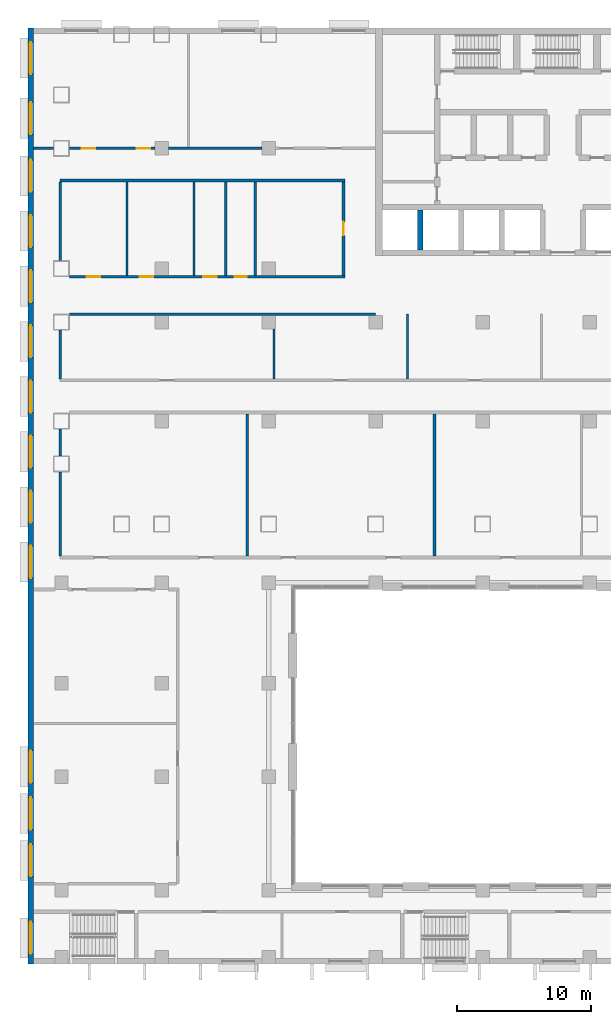
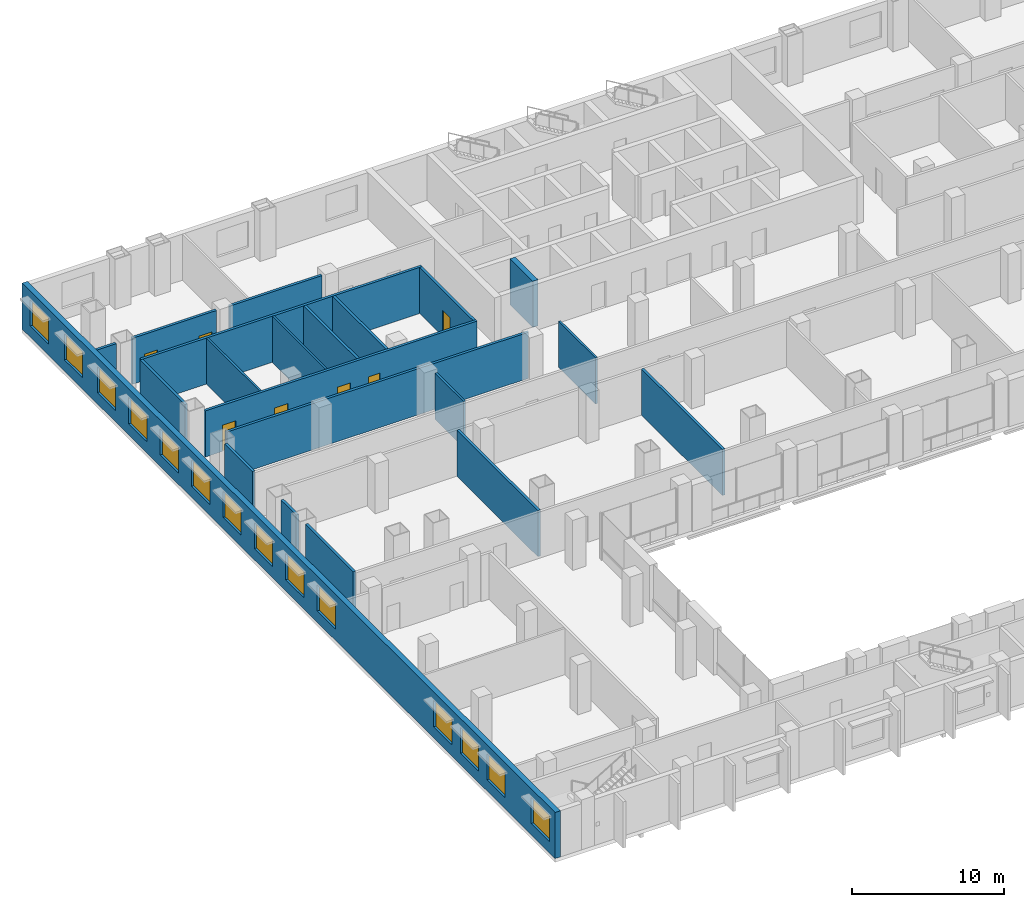
# One storey, part 10 of 25: 21 walls, 14 windows, 7 doors, 21 openings.
"""IFC4 building model written with IfcOpenShell, lengths in metres."""

from ifc_helpers import new_model, si_unit, direction, frame, frame_2d, origin, place, context, subcontext, project, spatial, rectangle, extrude, material, layer, layer_set, type_object, element, fill, save


model = new_model("IFC4")

# Units and contexts
model_context = context("Model", 3, precision=1e-05, world=origin(), true_north=direction((0.0, 1.0)))
body_context = subcontext(model_context, "Body", "Model", "MODEL_VIEW")
ifc_project = project(units=[si_unit("LENGTHUNIT", "METRE"), si_unit("AREAUNIT", "SQUARE_METRE"), si_unit("VOLUMEUNIT", "CUBIC_METRE"), si_unit("PLANEANGLEUNIT", "RADIAN"), si_unit("MASSUNIT", "GRAM", prefix="KILO")], contexts=[model_context])

# Site, building, storey
site_placement = place(None, origin())
site = spatial("IfcSite", under=ifc_project, at=site_placement, CompositionType="ELEMENT")
building_placement = place(site_placement, origin())
building = spatial("IfcBuilding", under=site, at=building_placement, Name="Vidyagriha Tower", CompositionType="ELEMENT")
storey_placement = place(building_placement, frame((0.0, 0.0, 18.0)))
storey = spatial("IfcBuildingStorey", under=building, at=storey_placement, Name="L04", CompositionType="ELEMENT", Elevation=18.0)

# Wall, openings, windows
ifc_material_1 = material(Name="Concrete C40/50 board-marked with brick facing", Category="concrete")
ifc_layer_1 = layer(ifc_material_1, 0.39990234375)
ifc_layer_set_1 = layer_set([ifc_layer_1], Name="Concrete C40/50 board-marked with brick facing")
wall_type_1 = type_object("IfcWallType", Name="Brick-faced board-marked concrete podium wall 400", PredefinedType="STANDARD", material=ifc_layer_set_1)
wall_1_placement = place(storey_placement, frame((-39.800048828125, 20.0, 0.0), z_axis=(0.0, 0.0, 1.0), x_axis=(0.0, -1.0, 0.0)))
wall_1 = element("IfcWall", 1, at=wall_1_placement, inside=storey, type_object=wall_type_1, Name="Podium wall L04 R05", PredefinedType="STANDARD", context=body_context, shape_type="SweptSolid", body=[
    extrude(rectangle(XDim=70.0, YDim=0.39990234375, at=frame_2d((35.0, 0.0))), origin(), (0.0, 0.0, 1.0), 3.699951171875),
])
opening_1_placement = place(wall_1_placement, frame((1.050048828125, 0.0, 0.89990234375)))
opening_1 = element("IfcOpeningElement", 2, at=opening_1_placement, cuts=wall_1, Name="Opening WN3", PredefinedType="OPENING", context=body_context, shape_type="SweptSolid", body=[
    extrude(rectangle(XDim=2.39990234375, YDim=2.10009765625, at=frame_2d((1.199951171875, 1.050048828125))), frame((0.0, 0.2099609375, 0.0), z_axis=(0.0, -1.0, 0.0), x_axis=(1.0, 0.0, 0.0)), (0.0, 0.0, 1.0), 0.419921875),
])
opening_2_placement = place(wall_1_placement, frame((5.550048828125, 0.0, 0.89990234375)))
opening_2 = element("IfcOpeningElement", 3, at=opening_2_placement, cuts=wall_1, Name="Opening WN3", PredefinedType="OPENING", context=body_context, shape_type="SweptSolid", body=[
    extrude(rectangle(XDim=2.39990234375, YDim=2.10009765625, at=frame_2d((1.199951171875, 1.050048828125))), frame((0.0, 0.2099609375, 0.0), z_axis=(0.0, -1.0, 0.0), x_axis=(1.0, 0.0, 0.0)), (0.0, 0.0, 1.0), 0.419921875),
])
opening_3_placement = place(wall_1_placement, frame((9.862548828125, 0.0, 0.89990234375)))
opening_3 = element("IfcOpeningElement", 4, at=opening_3_placement, cuts=wall_1, Name="Opening WN3", PredefinedType="OPENING", context=body_context, shape_type="SweptSolid", body=[
    extrude(rectangle(XDim=2.39990234375, YDim=2.10009765625, at=frame_2d((1.199951171875, 1.050048828125))), frame((0.0, 0.2099609375, 0.0), z_axis=(0.0, -1.0, 0.0), x_axis=(1.0, 0.0, 0.0)), (0.0, 0.0, 1.0), 0.419921875),
])
opening_4_placement = place(wall_1_placement, frame((13.987548828125, 0.0, 0.89990234375)))
opening_4 = element("IfcOpeningElement", 5, at=opening_4_placement, cuts=wall_1, Name="Opening WN3", PredefinedType="OPENING", context=body_context, shape_type="SweptSolid", body=[
    extrude(rectangle(XDim=2.39990234375, YDim=2.10009765625, at=frame_2d((1.199951171875, 1.050048828125))), frame((0.0, 0.2099609375, 0.0), z_axis=(0.0, -1.0, 0.0), x_axis=(1.0, 0.0, 0.0)), (0.0, 0.0, 1.0), 0.419921875),
])
opening_5_placement = place(wall_1_placement, frame((18.112548828125, 0.0, 0.89990234375)))
opening_5 = element("IfcOpeningElement", 6, at=opening_5_placement, cuts=wall_1, Name="Opening WN3", PredefinedType="OPENING", context=body_context, shape_type="SweptSolid", body=[
    extrude(rectangle(XDim=2.39990234375, YDim=2.10009765625, at=frame_2d((1.199951171875, 1.050048828125))), frame((0.0, 0.2099609375, 0.0), z_axis=(0.0, -1.0, 0.0), x_axis=(1.0, 0.0, 0.0)), (0.0, 0.0, 1.0), 0.419921875),
])
opening_6_placement = place(wall_1_placement, frame((22.237548828125, 0.0, 0.89990234375)))
opening_6 = element("IfcOpeningElement", 7, at=opening_6_placement, cuts=wall_1, Name="Opening WN3", PredefinedType="OPENING", context=body_context, shape_type="SweptSolid", body=[
    extrude(rectangle(XDim=2.39990234375, YDim=2.10009765625, at=frame_2d((1.199951171875, 1.050048828125))), frame((0.0, 0.2099609375, 0.0), z_axis=(0.0, -1.0, 0.0), x_axis=(1.0, 0.0, 0.0)), (0.0, 0.0, 1.0), 0.419921875),
])
opening_7_placement = place(wall_1_placement, frame((26.362548828125, 0.0, 0.89990234375)))
opening_7 = element("IfcOpeningElement", 8, at=opening_7_placement, cuts=wall_1, Name="Opening WN3", PredefinedType="OPENING", context=body_context, shape_type="SweptSolid", body=[
    extrude(rectangle(XDim=2.39990234375, YDim=2.10009765625, at=frame_2d((1.199951171875, 1.050048828125))), frame((0.0, 0.2099609375, 0.0), z_axis=(0.0, -1.0, 0.0), x_axis=(1.0, 0.0, 0.0)), (0.0, 0.0, 1.0), 0.419921875),
])
opening_8_placement = place(wall_1_placement, frame((30.487548828125, 0.0, 0.89990234375)))
opening_8 = element("IfcOpeningElement", 9, at=opening_8_placement, cuts=wall_1, Name="Opening WN3", PredefinedType="OPENING", context=body_context, shape_type="SweptSolid", body=[
    extrude(rectangle(XDim=2.39990234375, YDim=2.10009765625, at=frame_2d((1.199951171875, 1.050048828125))), frame((0.0, 0.2099609375, 0.0), z_axis=(0.0, -1.0, 0.0), x_axis=(1.0, 0.0, 0.0)), (0.0, 0.0, 1.0), 0.419921875),
])
opening_9_placement = place(wall_1_placement, frame((34.612548828125, 0.0, 0.89990234375)))
opening_9 = element("IfcOpeningElement", 10, at=opening_9_placement, cuts=wall_1, Name="Opening WN3", PredefinedType="OPENING", context=body_context, shape_type="SweptSolid", body=[
    extrude(rectangle(XDim=2.39990234375, YDim=2.10009765625, at=frame_2d((1.199951171875, 1.050048828125))), frame((0.0, 0.2099609375, 0.0), z_axis=(0.0, -1.0, 0.0), x_axis=(1.0, 0.0, 0.0)), (0.0, 0.0, 1.0), 0.419921875),
])
opening_10_placement = place(wall_1_placement, frame((38.737548828125, 0.0, 0.89990234375)))
opening_10 = element("IfcOpeningElement", 11, at=opening_10_placement, cuts=wall_1, Name="Opening WN3", PredefinedType="OPENING", context=body_context, shape_type="SweptSolid", body=[
    extrude(rectangle(XDim=2.39990234375, YDim=2.10009765625, at=frame_2d((1.199951171875, 1.050048828125))), frame((0.0, 0.2099609375, 0.0), z_axis=(0.0, -1.0, 0.0), x_axis=(1.0, 0.0, 0.0)), (0.0, 0.0, 1.0), 0.419921875),
])
opening_11_placement = place(wall_1_placement, frame((54.050048828125, 0.0, 0.89990234375)))
opening_11 = element("IfcOpeningElement", 12, at=opening_11_placement, cuts=wall_1, Name="Opening WN3", PredefinedType="OPENING", context=body_context, shape_type="SweptSolid", body=[
    extrude(rectangle(XDim=2.39990234375, YDim=2.10009765625, at=frame_2d((1.199951171875, 1.050048828125))), frame((0.0, 0.2099609375, 0.0), z_axis=(0.0, -1.0, 0.0), x_axis=(1.0, 0.0, 0.0)), (0.0, 0.0, 1.0), 0.419921875),
])
opening_12_placement = place(wall_1_placement, frame((57.550048828125, 0.0, 0.89990234375)))
opening_12 = element("IfcOpeningElement", 13, at=opening_12_placement, cuts=wall_1, Name="Opening WN3", PredefinedType="OPENING", context=body_context, shape_type="SweptSolid", body=[
    extrude(rectangle(XDim=2.39990234375, YDim=2.10009765625, at=frame_2d((1.199951171875, 1.050048828125))), frame((0.0, 0.2099609375, 0.0), z_axis=(0.0, -1.0, 0.0), x_axis=(1.0, 0.0, 0.0)), (0.0, 0.0, 1.0), 0.419921875),
])
opening_13_placement = place(wall_1_placement, frame((61.050048828125, 0.0, 0.89990234375)))
opening_13 = element("IfcOpeningElement", 14, at=opening_13_placement, cuts=wall_1, Name="Opening WN3", PredefinedType="OPENING", context=body_context, shape_type="SweptSolid", body=[
    extrude(rectangle(XDim=2.39990234375, YDim=2.10009765625, at=frame_2d((1.199951171875, 1.050048828125))), frame((0.0, 0.2099609375, 0.0), z_axis=(0.0, -1.0, 0.0), x_axis=(1.0, 0.0, 0.0)), (0.0, 0.0, 1.0), 0.419921875),
])
opening_14_placement = place(wall_1_placement, frame((66.85009765625, 0.0, 0.89990234375)))
opening_14 = element("IfcOpeningElement", 15, at=opening_14_placement, cuts=wall_1, Name="Opening WN3", PredefinedType="OPENING", context=body_context, shape_type="SweptSolid", body=[
    extrude(rectangle(XDim=2.39990234375, YDim=2.10009765625, at=frame_2d((1.199951171875, 1.050048828125))), frame((0.0, 0.2099609375, 0.0), z_axis=(0.0, -1.0, 0.0), x_axis=(1.0, 0.0, 0.0)), (0.0, 0.0, 1.0), 0.419921875),
])
ifc_material_2 = material(Name="Aluminium and glass window", Category="aluminium")
window_type = type_object("IfcWindowType", Name="Podium school window 2400x2100", PartitioningType="NOTDEFINED", PredefinedType="WINDOW", material=ifc_material_2)
window_1_placement = place(opening_1_placement, origin())
window_1 = element("IfcWindow", 16, at=window_1_placement, inside=storey, type_object=window_type, Name="School window L04 R05.1", OverallHeight=2.10009765625, OverallWidth=2.39990234375, PartitioningType="SINGLE_PANEL", PredefinedType="WINDOW", context=body_context, shape_type="SweptSolid", body=[
    extrude(rectangle(XDim=2.39990234375, YDim=2.10009765625, at=frame_2d((1.199951171875, 1.050048828125))), frame((0.0, 0.030029296875, 0.0), z_axis=(0.0, -1.0, 0.0), x_axis=(1.0, 0.0, 0.0)), (0.0, 0.0, 1.0), 0.06005859375),
])
fill(opening_1, window_1)
window_2_placement = place(opening_2_placement, origin())
window_2 = element("IfcWindow", 17, at=window_2_placement, inside=storey, type_object=window_type, Name="School window L04 R05.2", OverallHeight=2.10009765625, OverallWidth=2.39990234375, PartitioningType="SINGLE_PANEL", PredefinedType="WINDOW", context=body_context, shape_type="SweptSolid", body=[
    extrude(rectangle(XDim=2.39990234375, YDim=2.10009765625, at=frame_2d((1.199951171875, 1.050048828125))), frame((0.0, 0.030029296875, 0.0), z_axis=(0.0, -1.0, 0.0), x_axis=(1.0, 0.0, 0.0)), (0.0, 0.0, 1.0), 0.06005859375),
])
fill(opening_2, window_2)
window_3_placement = place(opening_3_placement, origin())
window_3 = element("IfcWindow", 18, at=window_3_placement, inside=storey, type_object=window_type, Name="School window L04 R05.3", OverallHeight=2.10009765625, OverallWidth=2.39990234375, PartitioningType="SINGLE_PANEL", PredefinedType="WINDOW", context=body_context, shape_type="SweptSolid", body=[
    extrude(rectangle(XDim=2.39990234375, YDim=2.10009765625, at=frame_2d((1.199951171875, 1.050048828125))), frame((0.0, 0.030029296875, 0.0), z_axis=(0.0, -1.0, 0.0), x_axis=(1.0, 0.0, 0.0)), (0.0, 0.0, 1.0), 0.06005859375),
])
fill(opening_3, window_3)
window_4_placement = place(opening_4_placement, origin())
window_4 = element("IfcWindow", 19, at=window_4_placement, inside=storey, type_object=window_type, Name="School window L04 R05.4", OverallHeight=2.10009765625, OverallWidth=2.39990234375, PartitioningType="SINGLE_PANEL", PredefinedType="WINDOW", context=body_context, shape_type="SweptSolid", body=[
    extrude(rectangle(XDim=2.39990234375, YDim=2.10009765625, at=frame_2d((1.199951171875, 1.050048828125))), frame((0.0, 0.030029296875, 0.0), z_axis=(0.0, -1.0, 0.0), x_axis=(1.0, 0.0, 0.0)), (0.0, 0.0, 1.0), 0.06005859375),
])
fill(opening_4, window_4)
window_5_placement = place(opening_5_placement, origin())
window_5 = element("IfcWindow", 20, at=window_5_placement, inside=storey, type_object=window_type, Name="School window L04 R05.5", OverallHeight=2.10009765625, OverallWidth=2.39990234375, PartitioningType="SINGLE_PANEL", PredefinedType="WINDOW", context=body_context, shape_type="SweptSolid", body=[
    extrude(rectangle(XDim=2.39990234375, YDim=2.10009765625, at=frame_2d((1.199951171875, 1.050048828125))), frame((0.0, 0.030029296875, 0.0), z_axis=(0.0, -1.0, 0.0), x_axis=(1.0, 0.0, 0.0)), (0.0, 0.0, 1.0), 0.06005859375),
])
fill(opening_5, window_5)
window_6_placement = place(opening_6_placement, origin())
window_6 = element("IfcWindow", 21, at=window_6_placement, inside=storey, type_object=window_type, Name="School window L04 R05.6", OverallHeight=2.10009765625, OverallWidth=2.39990234375, PartitioningType="SINGLE_PANEL", PredefinedType="WINDOW", context=body_context, shape_type="SweptSolid", body=[
    extrude(rectangle(XDim=2.39990234375, YDim=2.10009765625, at=frame_2d((1.199951171875, 1.050048828125))), frame((0.0, 0.030029296875, 0.0), z_axis=(0.0, -1.0, 0.0), x_axis=(1.0, 0.0, 0.0)), (0.0, 0.0, 1.0), 0.06005859375),
])
fill(opening_6, window_6)
window_7_placement = place(opening_7_placement, origin())
window_7 = element("IfcWindow", 22, at=window_7_placement, inside=storey, type_object=window_type, Name="School window L04 R05.7", OverallHeight=2.10009765625, OverallWidth=2.39990234375, PartitioningType="SINGLE_PANEL", PredefinedType="WINDOW", context=body_context, shape_type="SweptSolid", body=[
    extrude(rectangle(XDim=2.39990234375, YDim=2.10009765625, at=frame_2d((1.199951171875, 1.050048828125))), frame((0.0, 0.030029296875, 0.0), z_axis=(0.0, -1.0, 0.0), x_axis=(1.0, 0.0, 0.0)), (0.0, 0.0, 1.0), 0.06005859375),
])
fill(opening_7, window_7)
window_8_placement = place(opening_8_placement, origin())
window_8 = element("IfcWindow", 23, at=window_8_placement, inside=storey, type_object=window_type, Name="School window L04 R05.8", OverallHeight=2.10009765625, OverallWidth=2.39990234375, PartitioningType="SINGLE_PANEL", PredefinedType="WINDOW", context=body_context, shape_type="SweptSolid", body=[
    extrude(rectangle(XDim=2.39990234375, YDim=2.10009765625, at=frame_2d((1.199951171875, 1.050048828125))), frame((0.0, 0.030029296875, 0.0), z_axis=(0.0, -1.0, 0.0), x_axis=(1.0, 0.0, 0.0)), (0.0, 0.0, 1.0), 0.06005859375),
])
fill(opening_8, window_8)
window_9_placement = place(opening_9_placement, origin())
window_9 = element("IfcWindow", 24, at=window_9_placement, inside=storey, type_object=window_type, Name="School window L04 R05.9", OverallHeight=2.10009765625, OverallWidth=2.39990234375, PartitioningType="SINGLE_PANEL", PredefinedType="WINDOW", context=body_context, shape_type="SweptSolid", body=[
    extrude(rectangle(XDim=2.39990234375, YDim=2.10009765625, at=frame_2d((1.199951171875, 1.050048828125))), frame((0.0, 0.030029296875, 0.0), z_axis=(0.0, -1.0, 0.0), x_axis=(1.0, 0.0, 0.0)), (0.0, 0.0, 1.0), 0.06005859375),
])
fill(opening_9, window_9)
window_10_placement = place(opening_10_placement, origin())
window_10 = element("IfcWindow", 25, at=window_10_placement, inside=storey, type_object=window_type, Name="School window L04 R05.10", OverallHeight=2.10009765625, OverallWidth=2.39990234375, PartitioningType="SINGLE_PANEL", PredefinedType="WINDOW", context=body_context, shape_type="SweptSolid", body=[
    extrude(rectangle(XDim=2.39990234375, YDim=2.10009765625, at=frame_2d((1.199951171875, 1.050048828125))), frame((0.0, 0.030029296875, 0.0), z_axis=(0.0, -1.0, 0.0), x_axis=(1.0, 0.0, 0.0)), (0.0, 0.0, 1.0), 0.06005859375),
])
fill(opening_10, window_10)
window_11_placement = place(opening_11_placement, origin())
window_11 = element("IfcWindow", 26, at=window_11_placement, inside=storey, type_object=window_type, Name="School window L04 R05.15", OverallHeight=2.10009765625, OverallWidth=2.39990234375, PartitioningType="SINGLE_PANEL", PredefinedType="WINDOW", context=body_context, shape_type="SweptSolid", body=[
    extrude(rectangle(XDim=2.39990234375, YDim=2.10009765625, at=frame_2d((1.199951171875, 1.050048828125))), frame((0.0, 0.030029296875, 0.0), z_axis=(0.0, -1.0, 0.0), x_axis=(1.0, 0.0, 0.0)), (0.0, 0.0, 1.0), 0.06005859375),
])
fill(opening_11, window_11)
window_12_placement = place(opening_12_placement, origin())
window_12 = element("IfcWindow", 27, at=window_12_placement, inside=storey, type_object=window_type, Name="School window L04 R05.16", OverallHeight=2.10009765625, OverallWidth=2.39990234375, PartitioningType="SINGLE_PANEL", PredefinedType="WINDOW", context=body_context, shape_type="SweptSolid", body=[
    extrude(rectangle(XDim=2.39990234375, YDim=2.10009765625, at=frame_2d((1.199951171875, 1.050048828125))), frame((0.0, 0.030029296875, 0.0), z_axis=(0.0, -1.0, 0.0), x_axis=(1.0, 0.0, 0.0)), (0.0, 0.0, 1.0), 0.06005859375),
])
fill(opening_12, window_12)
window_13_placement = place(opening_13_placement, origin())
window_13 = element("IfcWindow", 28, at=window_13_placement, inside=storey, type_object=window_type, Name="School window L04 R05.17", OverallHeight=2.10009765625, OverallWidth=2.39990234375, PartitioningType="SINGLE_PANEL", PredefinedType="WINDOW", context=body_context, shape_type="SweptSolid", body=[
    extrude(rectangle(XDim=2.39990234375, YDim=2.10009765625, at=frame_2d((1.199951171875, 1.050048828125))), frame((0.0, 0.030029296875, 0.0), z_axis=(0.0, -1.0, 0.0), x_axis=(1.0, 0.0, 0.0)), (0.0, 0.0, 1.0), 0.06005859375),
])
fill(opening_13, window_13)
window_14_placement = place(opening_14_placement, origin())
window_14 = element("IfcWindow", 29, at=window_14_placement, inside=storey, type_object=window_type, Name="School window L04 R05.19", OverallHeight=2.10009765625, OverallWidth=2.39990234375, PartitioningType="SINGLE_PANEL", PredefinedType="WINDOW", context=body_context, shape_type="SweptSolid", body=[
    extrude(rectangle(XDim=2.39990234375, YDim=2.10009765625, at=frame_2d((1.199951171875, 1.050048828125))), frame((0.0, 0.030029296875, 0.0), z_axis=(0.0, -1.0, 0.0), x_axis=(1.0, 0.0, 0.0)), (0.0, 0.0, 1.0), 0.06005859375),
])
fill(opening_14, window_14)

# Walls
ifc_material_3 = material(Name="Concrete C60/75", Category="concrete")
ifc_layer_2 = layer(ifc_material_3, 0.39990234375)
ifc_layer_set_2 = layer_set([ifc_layer_2], Name="Concrete C60/75")
wall_type_2 = type_object("IfcWallType", Name="Core shear wall 400 mm", PredefinedType="SHEAR", material=ifc_layer_set_2)
wall_2_placement = place(storey_placement, frame((-10.655517578125, 3.39990234375, 0.0), z_axis=(0.0, 0.0, 1.0), x_axis=(0.0, 1.0, 0.0)))
element("IfcWall", 30, at=wall_2_placement, inside=storey, type_object=wall_type_2, Name="Core bay wall S1", PredefinedType="SHEAR", context=body_context, shape_type="SweptSolid", body=[
    extrude(rectangle(XDim=3.0, YDim=0.39990234375, at=frame_2d((1.5, 0.0))), origin(), (0.0, 0.0, 1.0), 3.699951171875),
])
ifc_material_4 = material(Name="Fire rated gypsum board on light gauge framing")
ifc_layer_3 = layer(ifc_material_4, 0.199951171875)
ifc_layer_set_3 = layer_set([ifc_layer_3], Name="Fire rated gypsum board on light gauge framing")
wall_type_3 = type_object("IfcWallType", Name="Fire Rated Corridor Wall 200", PredefinedType="PARTITIONING", material=ifc_layer_set_3)
wall_3_placement = place(storey_placement, frame((-36.89990234375, -1.39990234375, 0.0)))
element("IfcWall", 31, at=wall_3_placement, inside=storey, type_object=wall_type_3, Name="L04 Fire Rated Corridor Wall 200 024", PredefinedType="PARTITIONING", context=body_context, shape_type="SweptSolid", body=[
    extrude(rectangle(XDim=22.89990234375, YDim=0.199951171875, at=frame_2d((11.449951171875, 0.0))), origin(), (0.0, 0.0, 1.0), 3.699951171875),
])

# Wall, openings, doors
wall_4_placement = place(storey_placement, frame((-36.89990234375, 1.39990234375, 0.0)))
wall_4 = element("IfcWall", 32, at=wall_4_placement, inside=storey, type_object=wall_type_3, Name="L04 Fire Rated Corridor Wall 200 026", PredefinedType="PARTITIONING", context=body_context, shape_type="SweptSolid", body=[
    extrude(rectangle(XDim=20.599853515625, YDim=0.199951171875, at=frame_2d((10.2998046875, 0.0))), origin(), (0.0, 0.0, 1.0), 3.699951171875),
])
opening_15_placement = place(wall_4_placement, frame((1.300048828125, 0.0, 0.0)))
opening_15 = element("IfcOpeningElement", 33, at=opening_15_placement, cuts=wall_4, Name="Opening D04-41", PredefinedType="OPENING", context=body_context, shape_type="SweptSolid", body=[
    extrude(rectangle(XDim=1.0, YDim=2.10009765625, at=frame_2d((0.5, 1.050048828125))), frame((0.0, 0.10986328125, 0.0), z_axis=(0.0, -1.0, 0.0), x_axis=(1.0, 0.0, 0.0)), (0.0, 0.0, 1.0), 0.219970703125),
])
opening_16_placement = place(wall_4_placement, frame((5.25, 0.0, 0.0)))
opening_16 = element("IfcOpeningElement", 34, at=opening_16_placement, cuts=wall_4, Name="Opening D04-42", PredefinedType="OPENING", context=body_context, shape_type="SweptSolid", body=[
    extrude(rectangle(XDim=1.0, YDim=2.10009765625, at=frame_2d((0.5, 1.050048828125))), frame((0.0, 0.10986328125, 0.0), z_axis=(0.0, -1.0, 0.0), x_axis=(1.0, 0.0, 0.0)), (0.0, 0.0, 1.0), 0.219970703125),
])
opening_17_placement = place(wall_4_placement, frame((10.0, 0.0, 0.0)))
opening_17 = element("IfcOpeningElement", 35, at=opening_17_placement, cuts=wall_4, Name="Opening D04-43", PredefinedType="OPENING", context=body_context, shape_type="SweptSolid", body=[
    extrude(rectangle(XDim=1.0, YDim=2.10009765625, at=frame_2d((0.5, 1.050048828125))), frame((0.0, 0.10986328125, 0.0), z_axis=(0.0, -1.0, 0.0), x_axis=(1.0, 0.0, 0.0)), (0.0, 0.0, 1.0), 0.219970703125),
])
opening_18_placement = place(wall_4_placement, frame((12.35009765625, 0.0, 0.0)))
opening_18 = element("IfcOpeningElement", 36, at=opening_18_placement, cuts=wall_4, Name="Opening D04-44", PredefinedType="OPENING", context=body_context, shape_type="SweptSolid", body=[
    extrude(rectangle(XDim=0.89990234375, YDim=2.10009765625, at=frame_2d((0.449951171875, 1.050048828125))), frame((0.0, 0.10986328125, 0.0), z_axis=(0.0, -1.0, 0.0), x_axis=(1.0, 0.0, 0.0)), (0.0, 0.0, 1.0), 0.219970703125),
])
ifc_material_5 = material(Name="Steel fire door set", Category="steel")
door_type_1 = type_object("IfcDoorType", Name="Podium Door 1000x2100 EI 30", OperationType="NOTDEFINED", PredefinedType="DOOR", material=ifc_material_5)
door_1_placement = place(opening_15_placement, origin())
door_1 = element("IfcDoor", 37, at=door_1_placement, inside=storey, type_object=door_type_1, Name="L04 door D04-41", OperationType="SINGLE_SWING_LEFT", OverallHeight=2.10009765625, OverallWidth=1.0, PredefinedType="DOOR", context=body_context, shape_type="SweptSolid", body=[
    extrude(rectangle(XDim=1.0, YDim=2.10009765625, at=frame_2d((0.5, 1.050048828125))), frame((0.0, 0.02490234375, 0.0), z_axis=(0.0, -1.0, 0.0), x_axis=(1.0, 0.0, 0.0)), (0.0, 0.0, 1.0), 0.050048828125),
])
fill(opening_15, door_1)
door_2_placement = place(opening_16_placement, origin())
door_2 = element("IfcDoor", 38, at=door_2_placement, inside=storey, type_object=door_type_1, Name="L04 door D04-42", OperationType="SINGLE_SWING_LEFT", OverallHeight=2.10009765625, OverallWidth=1.0, PredefinedType="DOOR", context=body_context, shape_type="SweptSolid", body=[
    extrude(rectangle(XDim=1.0, YDim=2.10009765625, at=frame_2d((0.5, 1.050048828125))), frame((0.0, 0.02490234375, 0.0), z_axis=(0.0, -1.0, 0.0), x_axis=(1.0, 0.0, 0.0)), (0.0, 0.0, 1.0), 0.050048828125),
])
fill(opening_16, door_2)
door_3_placement = place(opening_17_placement, origin())
door_3 = element("IfcDoor", 39, at=door_3_placement, inside=storey, type_object=door_type_1, Name="L04 door D04-43", OperationType="SINGLE_SWING_RIGHT", OverallHeight=2.10009765625, OverallWidth=1.0, PredefinedType="DOOR", context=body_context, shape_type="SweptSolid", body=[
    extrude(rectangle(XDim=1.0, YDim=2.10009765625, at=frame_2d((0.5, 1.050048828125))), frame((0.0, 0.02490234375, 0.0), z_axis=(0.0, -1.0, 0.0), x_axis=(1.0, 0.0, 0.0)), (0.0, 0.0, 1.0), 0.050048828125),
])
fill(opening_17, door_3)
ifc_material_6 = material(Name="Steel fire door set", Category="steel")
door_type_2 = type_object("IfcDoorType", Name="Podium Door 900x2100 EI 30", OperationType="NOTDEFINED", PredefinedType="DOOR", material=ifc_material_6)
door_4_placement = place(opening_18_placement, origin())
door_4 = element("IfcDoor", 40, at=door_4_placement, inside=storey, type_object=door_type_2, Name="L04 door D04-44", OperationType="SINGLE_SWING_RIGHT", OverallHeight=2.10009765625, OverallWidth=0.89990234375, PredefinedType="DOOR", context=body_context, shape_type="SweptSolid", body=[
    extrude(rectangle(XDim=0.89990234375, YDim=2.10009765625, at=frame_2d((0.449951171875, 1.050048828125))), frame((0.0, 0.02490234375, 0.0), z_axis=(0.0, -1.0, 0.0), x_axis=(1.0, 0.0, 0.0)), (0.0, 0.0, 1.0), 0.050048828125),
])
fill(opening_18, door_4)

# Walls
wall_5_placement = place(storey_placement, frame((-37.599853515625, 8.60009765625, 0.0)))
element("IfcWall", 41, at=wall_5_placement, inside=storey, type_object=wall_type_3, Name="L04 Fire Rated Corridor Wall 200 028", PredefinedType="PARTITIONING", context=body_context, shape_type="SweptSolid", body=[
    extrude(rectangle(XDim=21.2998046875, YDim=0.199951171875, at=frame_2d((10.64990234375, 0.0))), origin(), (0.0, 0.0, 1.0), 3.699951171875),
])
wall_6_placement = place(storey_placement, frame((-39.60009765625, 11.0, 0.0)))
element("IfcWall", 42, at=wall_6_placement, inside=storey, type_object=wall_type_3, Name="L04 Fire Rated Corridor Wall 200 030", PredefinedType="PARTITIONING", context=body_context, shape_type="SweptSolid", body=[
    extrude(rectangle(XDim=1.5, YDim=0.199951171875, at=frame_2d((0.75, 0.0))), origin(), (0.0, 0.0, 1.0), 3.699951171875),
])

# Wall, openings, doors
wall_7_placement = place(storey_placement, frame((-36.89990234375, 11.0, 0.0)))
wall_7 = element("IfcWall", 43, at=wall_7_placement, inside=storey, type_object=wall_type_3, Name="L04 Fire Rated Corridor Wall 200 031", PredefinedType="PARTITIONING", context=body_context, shape_type="SweptSolid", body=[
    extrude(rectangle(XDim=6.39990234375, YDim=0.199951171875, at=frame_2d((3.199951171875, 0.0))), origin(), (0.0, 0.0, 1.0), 3.699951171875),
])
opening_19_placement = place(wall_7_placement, frame((0.912109375, 0.0, 0.0)))
opening_19 = element("IfcOpeningElement", 44, at=opening_19_placement, cuts=wall_7, Name="Opening D04-51", PredefinedType="OPENING", context=body_context, shape_type="SweptSolid", body=[
    extrude(rectangle(XDim=1.0, YDim=2.10009765625, at=frame_2d((0.5, 1.050048828125))), frame((0.0, 0.10986328125, 0.0), z_axis=(0.0, -1.0, 0.0), x_axis=(1.0, 0.0, 0.0)), (0.0, 0.0, 1.0), 0.219970703125),
])
opening_20_placement = place(wall_7_placement, frame((5.050048828125, 0.0, 0.0)))
opening_20 = element("IfcOpeningElement", 45, at=opening_20_placement, cuts=wall_7, Name="Opening D04-52", PredefinedType="OPENING", context=body_context, shape_type="SweptSolid", body=[
    extrude(rectangle(XDim=1.0, YDim=2.10009765625, at=frame_2d((0.5, 1.050048828125))), frame((0.0, 0.10986328125, 0.0), z_axis=(0.0, -1.0, 0.0), x_axis=(1.0, 0.0, 0.0)), (0.0, 0.0, 1.0), 0.219970703125),
])
door_5_placement = place(opening_19_placement, origin())
door_5 = element("IfcDoor", 46, at=door_5_placement, inside=storey, type_object=door_type_1, Name="L04 door D04-51", OperationType="SINGLE_SWING_LEFT", OverallHeight=2.10009765625, OverallWidth=1.0, PredefinedType="DOOR", context=body_context, shape_type="SweptSolid", body=[
    extrude(rectangle(XDim=1.0, YDim=2.10009765625, at=frame_2d((0.5, 1.050048828125))), frame((0.0, 0.02490234375, 0.0), z_axis=(0.0, -1.0, 0.0), x_axis=(1.0, 0.0, 0.0)), (0.0, 0.0, 1.0), 0.050048828125),
])
fill(opening_19, door_5)
door_6_placement = place(opening_20_placement, origin())
door_6 = element("IfcDoor", 47, at=door_6_placement, inside=storey, type_object=door_type_1, Name="L04 door D04-52", OperationType="SINGLE_SWING_RIGHT", OverallHeight=2.10009765625, OverallWidth=1.0, PredefinedType="DOOR", context=body_context, shape_type="SweptSolid", body=[
    extrude(rectangle(XDim=1.0, YDim=2.10009765625, at=frame_2d((0.5, 1.050048828125))), frame((0.0, 0.02490234375, 0.0), z_axis=(0.0, -1.0, 0.0), x_axis=(1.0, 0.0, 0.0)), (0.0, 0.0, 1.0), 0.050048828125),
])
fill(opening_20, door_6)

# Walls
wall_8_placement = place(storey_placement, frame((-29.5, 11.0, 0.0)))
element("IfcWall", 48, at=wall_8_placement, inside=storey, type_object=wall_type_3, Name="L04 Fire Rated Corridor Wall 200 032", PredefinedType="PARTITIONING", context=body_context, shape_type="SweptSolid", body=[
    extrude(rectangle(XDim=7.0, YDim=0.199951171875, at=frame_2d((3.5, 0.0))), origin(), (0.0, 0.0, 1.0), 3.699951171875),
])
wall_9_placement = place(storey_placement, frame((-37.60009765625, -19.5, 0.0), z_axis=(0.0, 0.0, 1.0), x_axis=(0.0, 1.0, 0.0)))
element("IfcWall", 49, at=wall_9_placement, inside=storey, type_object=wall_type_3, Name="L04 Fire Rated Corridor Wall 200 039", PredefinedType="PARTITIONING", context=body_context, shape_type="SweptSolid", body=[
    extrude(rectangle(XDim=6.300048828125, YDim=0.199951171875, at=frame_2d((3.14990234375, 0.0))), origin(), (0.0, 0.0, 1.0), 3.699951171875),
])
wall_10_placement = place(storey_placement, frame((-37.60009765625, -12.0, 0.0), z_axis=(0.0, 0.0, 1.0), x_axis=(0.0, 1.0, 0.0)))
element("IfcWall", 50, at=wall_10_placement, inside=storey, type_object=wall_type_3, Name="L04 Fire Rated Corridor Wall 200 040", PredefinedType="PARTITIONING", context=body_context, shape_type="SweptSolid", body=[
    extrude(rectangle(XDim=2.0, YDim=0.199951171875, at=frame_2d((1.0, 0.0))), origin(), (0.0, 0.0, 1.0), 3.699951171875),
])
wall_11_placement = place(storey_placement, frame((-37.60009765625, -6.25, 0.0), z_axis=(0.0, 0.0, 1.0), x_axis=(0.0, 1.0, 0.0)))
element("IfcWall", 51, at=wall_11_placement, inside=storey, type_object=wall_type_3, Name="L04 Fire Rated Corridor Wall 200 041", PredefinedType="PARTITIONING", context=body_context, shape_type="SweptSolid", body=[
    extrude(rectangle(XDim=3.64990234375, YDim=0.199951171875, at=frame_2d((1.824951171875, 0.0))), origin(), (0.0, 0.0, 1.0), 3.699951171875),
])
wall_12_placement = place(storey_placement, frame((-37.60009765625, 2.60009765625, 0.0), z_axis=(0.0, 0.0, 1.0), x_axis=(0.0, 1.0, 0.0)))
element("IfcWall", 52, at=wall_12_placement, inside=storey, type_object=wall_type_3, Name="L04 Fire Rated Corridor Wall 200 042", PredefinedType="PARTITIONING", context=body_context, shape_type="SweptSolid", body=[
    extrude(rectangle(XDim=5.89990234375, YDim=0.199951171875, at=frame_2d((2.949951171875, 0.0))), origin(), (0.0, 0.0, 1.0), 3.699951171875),
])
wall_13_placement = place(storey_placement, frame((-25.199951171875, 1.5, 0.0), z_axis=(0.0, 0.0, 1.0), x_axis=(0.0, 1.0, 0.0)))
element("IfcWall", 53, at=wall_13_placement, inside=storey, type_object=wall_type_3, Name="L04 Fire Rated Corridor Wall 200 048", PredefinedType="PARTITIONING", context=body_context, shape_type="SweptSolid", body=[
    extrude(rectangle(XDim=7.0, YDim=0.199951171875, at=frame_2d((3.5, 0.0))), origin(), (0.0, 0.0, 1.0), 3.699951171875),
])
wall_14_placement = place(storey_placement, frame((-23.60009765625, -19.5, 0.0), z_axis=(0.0, 0.0, 1.0), x_axis=(0.0, 1.0, 0.0)))
element("IfcWall", 54, at=wall_14_placement, inside=storey, type_object=wall_type_3, Name="L04 Fire Rated Corridor Wall 200 049", PredefinedType="PARTITIONING", context=body_context, shape_type="SweptSolid", body=[
    extrude(rectangle(XDim=10.64990234375, YDim=0.199951171875, at=frame_2d((5.324951171875, 0.0))), origin(), (0.0, 0.0, 1.0), 3.699951171875),
])
wall_15_placement = place(storey_placement, frame((-23.0, 1.5, 0.0), z_axis=(0.0, 0.0, 1.0), x_axis=(0.0, 1.0, 0.0)))
element("IfcWall", 55, at=wall_15_placement, inside=storey, type_object=wall_type_3, Name="L04 Fire Rated Corridor Wall 200 050", PredefinedType="PARTITIONING", context=body_context, shape_type="SweptSolid", body=[
    extrude(rectangle(XDim=7.0, YDim=0.199951171875, at=frame_2d((3.5, 0.0))), origin(), (0.0, 0.0, 1.0), 3.699951171875),
])

# Wall, opening, door
wall_16_placement = place(storey_placement, frame((-16.39990234375, 1.5, 0.0), z_axis=(0.0, 0.0, 1.0), x_axis=(0.0, 1.0, 0.0)))
wall_16 = element("IfcWall", 56, at=wall_16_placement, inside=storey, type_object=wall_type_3, Name="L04 Fire Rated Corridor Wall 200 053", PredefinedType="PARTITIONING", context=body_context, shape_type="SweptSolid", body=[
    extrude(rectangle(XDim=7.0, YDim=0.199951171875, at=frame_2d((3.5, 0.0))), origin(), (0.0, 0.0, 1.0), 3.699951171875),
])
opening_21_placement = place(wall_16_placement, frame((3.0, 0.0, 0.0)))
opening_21 = element("IfcOpeningElement", 57, at=opening_21_placement, cuts=wall_16, Name="Opening D04-45", PredefinedType="OPENING", context=body_context, shape_type="SweptSolid", body=[
    extrude(rectangle(XDim=1.0, YDim=2.10009765625, at=frame_2d((0.5, 1.050048828125))), frame((0.0, 0.10986328125, 0.0), z_axis=(0.0, -1.0, 0.0), x_axis=(1.0, 0.0, 0.0)), (0.0, 0.0, 1.0), 0.219970703125),
])
door_7_placement = place(opening_21_placement, origin())
door_7 = element("IfcDoor", 58, at=door_7_placement, inside=storey, type_object=door_type_1, Name="L04 door D04-45", OperationType="SINGLE_SWING_LEFT", OverallHeight=2.10009765625, OverallWidth=1.0, PredefinedType="DOOR", context=body_context, shape_type="SweptSolid", body=[
    extrude(rectangle(XDim=1.0, YDim=2.10009765625, at=frame_2d((0.5, 1.050048828125))), frame((0.0, 0.02490234375, 0.0), z_axis=(0.0, -1.0, 0.0), x_axis=(1.0, 0.0, 0.0)), (0.0, 0.0, 1.0), 0.050048828125),
])
fill(opening_21, door_7)

# Walls
wall_17_placement = place(storey_placement, frame((-9.60009765625, -19.5, 0.0), z_axis=(0.0, 0.0, 1.0), x_axis=(0.0, 1.0, 0.0)))
element("IfcWall", 59, at=wall_17_placement, inside=storey, type_object=wall_type_3, Name="L04 Fire Rated Corridor Wall 200 056", PredefinedType="PARTITIONING", context=body_context, shape_type="SweptSolid", body=[
    extrude(rectangle(XDim=10.64990234375, YDim=0.199951171875, at=frame_2d((5.324951171875, 0.0))), origin(), (0.0, 0.0, 1.0), 3.699951171875),
])
ifc_material_7 = material(Name="Gypsum board on light gauge framing")
ifc_layer_4 = layer(ifc_material_7, 0.14990234375)
ifc_layer_set_4 = layer_set([ifc_layer_4], Name="Gypsum board on light gauge framing")
wall_type_4 = type_object("IfcWallType", Name="Gypsum Board Partition 150", PredefinedType="PARTITIONING", material=ifc_layer_set_4)
for number, where, z_axis, x_axis, name in (
    (60, (-32.60009765625, 1.5, 0.0), (0.0, 0.0, 1.0), (0.0, 1.0, 0.0), "L04 Gypsum Board Partition 150 043"),
    (61, (-27.60009765625, 1.5, 0.0), (0.0, 0.0, 1.0), (0.0, 1.0, 0.0), "L04 Gypsum Board Partition 150 047"),
):
    element("IfcWall", number, at=place(storey_placement, frame(where, z_axis=z_axis, x_axis=x_axis)), inside=storey, type_object=wall_type_4, Name=name, PredefinedType="PARTITIONING", context=body_context, shape_type="SweptSolid", body=[
        extrude(rectangle(XDim=7.0, YDim=0.14990234375, at=frame_2d((3.5, 0.0))), origin(), (0.0, 0.0, 1.0), 3.699951171875),
    ])
wall_18_placement = place(storey_placement, frame((-21.60009765625, -6.25, 0.0), z_axis=(0.0, 0.0, 1.0), x_axis=(0.0, 1.0, 0.0)))
element("IfcWall", 62, at=wall_18_placement, inside=storey, type_object=wall_type_4, Name="L04 Gypsum Board Partition 150 051", PredefinedType="PARTITIONING", context=body_context, shape_type="SweptSolid", body=[
    extrude(rectangle(XDim=3.75, YDim=0.14990234375, at=frame_2d((1.875, 0.0))), origin(), (0.0, 0.0, 1.0), 3.699951171875),
])
wall_19_placement = place(storey_placement, frame((-11.60009765625, -6.25, 0.0), z_axis=(0.0, 0.0, 1.0), x_axis=(0.0, 1.0, 0.0)))
element("IfcWall", 63, at=wall_19_placement, inside=storey, type_object=wall_type_4, Name="L04 Gypsum Board Partition 150 055", PredefinedType="PARTITIONING", context=body_context, shape_type="SweptSolid", body=[
    extrude(rectangle(XDim=4.849853515625, YDim=0.14990234375, at=frame_2d((2.4248046875, 0.0))), origin(), (0.0, 0.0, 1.0), 3.699951171875),
])

save(model, "model.ifc")
